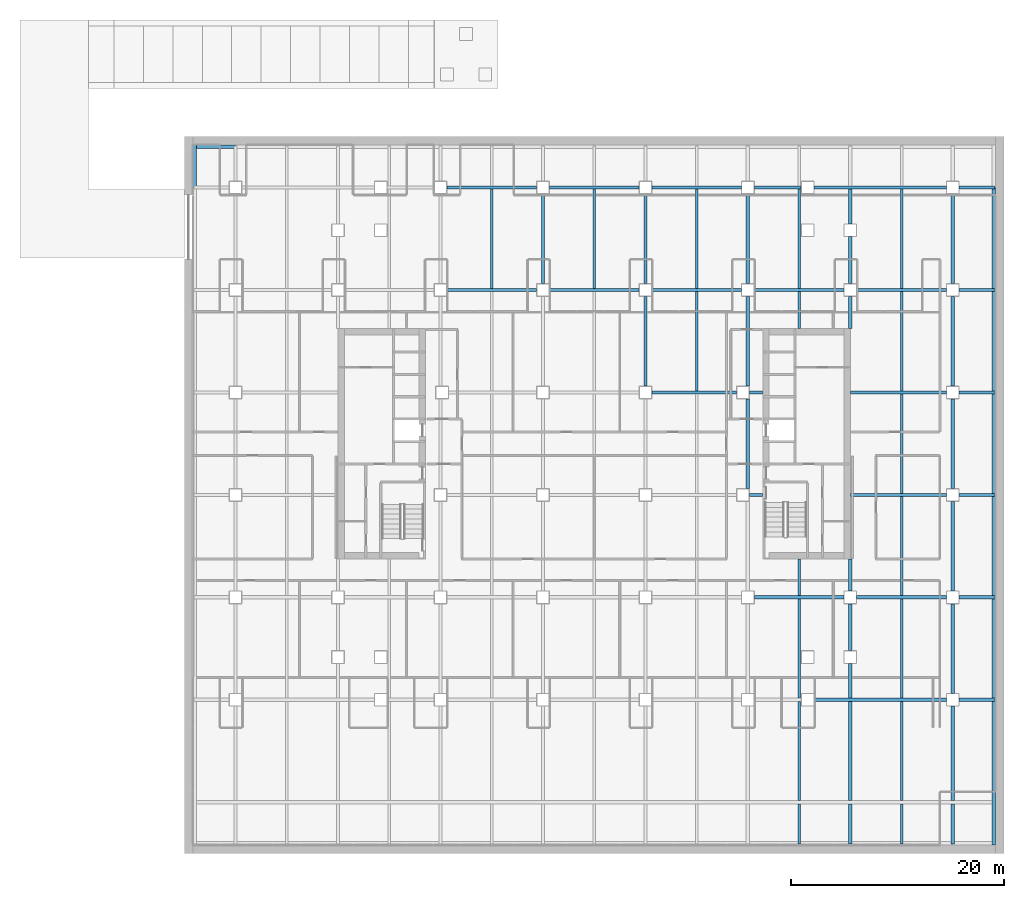
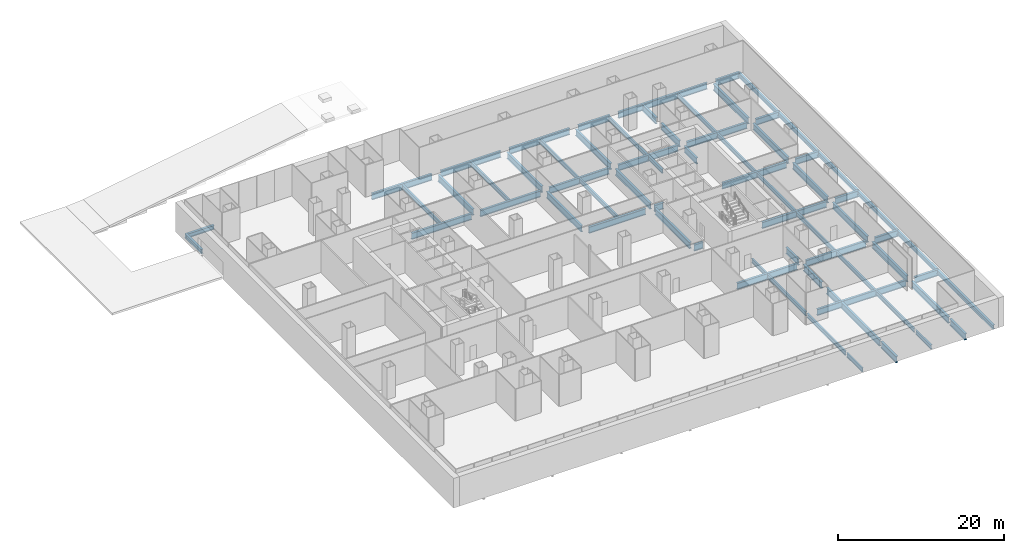
# One storey, part 3 of 11: 70 beams.
"""IFC4 building model written with IfcOpenShell, lengths in metres."""

from ifc_helpers import new_model, si_unit, direction, frame, origin, origin_2d, place, context, subcontext, project, spatial, i_section, extrude, material, material_profile, profile_set, type_object, element, save


model = new_model("IFC4")

# Units and contexts
model_context = context("Model", 3, precision=1e-05, world=origin(), true_north=direction((0.0, 1.0)))
body_context = subcontext(model_context, "Body", "Model", "MODEL_VIEW")
ifc_project = project(units=[si_unit("LENGTHUNIT", "METRE"), si_unit("AREAUNIT", "SQUARE_METRE"), si_unit("VOLUMEUNIT", "CUBIC_METRE"), si_unit("PLANEANGLEUNIT", "RADIAN"), si_unit("MASSUNIT", "GRAM", prefix="KILO")], contexts=[model_context])

# Site, building, storey
site_placement = place(None, origin())
site = spatial("IfcSite", under=ifc_project, at=site_placement, CompositionType="ELEMENT")
building_placement = place(site_placement, origin())
building = spatial("IfcBuilding", under=site, at=building_placement, Name="Cobrizo Arcos Hotel Tower", CompositionType="ELEMENT")
storey_placement = place(building_placement, frame((0.0, 0.0, -5.0)))
storey = spatial("IfcBuildingStorey", under=building, at=storey_placement, Name="B1", CompositionType="ELEMENT", Elevation=-5.0)

# Beams
ifc_material = material(Name="Steel ASTM A992 Grade 50", Category="steel")
ifc_material_profile_1 = material_profile(ifc_material, i_section(OverallWidth=0.32763671875, OverallDepth=0.622314453125, WebThickness=0.015380859375, FlangeThickness=0.0244140625, at=origin_2d()), Name="W24X131")
ifc_profile_set_1 = profile_set([ifc_material_profile_1], Name="Steel ASTM A992 Grade 50")
beam_type_1 = type_object("IfcBeamType", Name="W24X131 edge beam", PredefinedType="BEAM", material=ifc_profile_set_1)
for number, where, z_axis, x_axis, name in (
    (1, (-37.436279296875, 24.0, -0.611083984375), (0.0, 1.0, 0.0), (-1.0, 0.0, 0.0), "Edge beam EB1, B1, no. 008"),
    (2, (-37.60009765625, 27.836181640625, -0.611083984375), (1.0, 0.0, 0.0), (0.0, 1.0, 0.0), "Edge beam EB1, B1, no. 009"),
):
    element("IfcBeam", number, at=place(storey_placement, frame(where, z_axis=z_axis, x_axis=x_axis)), inside=storey, type_object=beam_type_1, Name=name, PredefinedType="BEAM", context=body_context, shape_type="SweptSolid", body=[
        extrude(i_section(OverallWidth=0.32763671875, OverallDepth=0.622314453125, WebThickness=0.015380859375, FlangeThickness=0.0244140625, at=origin_2d()), origin(), (0.0, 0.0, 1.0), 4.0),
    ])
beam_1_placement = place(storey_placement, frame((37.436279296875, 24.0, -0.611083984375), z_axis=(0.0, -1.0, 0.0), x_axis=(1.0, 0.0, 0.0)))
element("IfcBeam", 3, at=beam_1_placement, inside=storey, type_object=beam_type_1, Name="Edge beam EB1, B1, no. 017", PredefinedType="BEAM", context=body_context, shape_type="SweptSolid", body=[
    extrude(i_section(OverallWidth=0.32763671875, OverallDepth=0.622314453125, WebThickness=0.015380859375, FlangeThickness=0.0244140625, at=origin_2d()), origin(), (0.0, 0.0, 1.0), 9.60009765625),
])
beam_2_placement = place(storey_placement, frame((37.436279296875, 14.39990234375, -0.611083984375), z_axis=(0.0, -1.0, 0.0), x_axis=(1.0, 0.0, 0.0)))
element("IfcBeam", 4, at=beam_2_placement, inside=storey, type_object=beam_type_1, Name="Edge beam EB1, B1, no. 018", PredefinedType="BEAM", context=body_context, shape_type="SweptSolid", body=[
    extrude(i_section(OverallWidth=0.32763671875, OverallDepth=0.622314453125, WebThickness=0.015380859375, FlangeThickness=0.0244140625, at=origin_2d()), origin(), (0.0, 0.0, 1.0), 9.599853515625),
])
beam_3_placement = place(storey_placement, frame((37.436279296875, 4.800048828125, -0.611083984375), z_axis=(0.0, -1.0, 0.0), x_axis=(1.0, 0.0, 0.0)))
element("IfcBeam", 5, at=beam_3_placement, inside=storey, type_object=beam_type_1, Name="Edge beam EB1, B1, no. 019", PredefinedType="BEAM", context=body_context, shape_type="SweptSolid", body=[
    extrude(i_section(OverallWidth=0.32763671875, OverallDepth=0.622314453125, WebThickness=0.015380859375, FlangeThickness=0.0244140625, at=origin_2d()), origin(), (0.0, 0.0, 1.0), 9.60009765625),
])
beam_4_placement = place(storey_placement, frame((37.436279296875, -4.800048828125, -0.611083984375), z_axis=(0.0, -1.0, 0.0), x_axis=(1.0, 0.0, 0.0)))
element("IfcBeam", 6, at=beam_4_placement, inside=storey, type_object=beam_type_1, Name="Edge beam EB1, B1, no. 020", PredefinedType="BEAM", context=body_context, shape_type="SweptSolid", body=[
    extrude(i_section(OverallWidth=0.32763671875, OverallDepth=0.622314453125, WebThickness=0.015380859375, FlangeThickness=0.0244140625, at=origin_2d()), origin(), (0.0, 0.0, 1.0), 9.599853515625),
])
beam_5_placement = place(storey_placement, frame((37.436279296875, -14.39990234375, -0.611083984375), z_axis=(0.0, -1.0, 0.0), x_axis=(1.0, 0.0, 0.0)))
element("IfcBeam", 7, at=beam_5_placement, inside=storey, type_object=beam_type_1, Name="Edge beam EB1, B1, no. 021", PredefinedType="BEAM", context=body_context, shape_type="SweptSolid", body=[
    extrude(i_section(OverallWidth=0.32763671875, OverallDepth=0.622314453125, WebThickness=0.015380859375, FlangeThickness=0.0244140625, at=origin_2d()), origin(), (0.0, 0.0, 1.0), 9.60009765625),
])
beam_6_placement = place(storey_placement, frame((37.436279296875, -24.0, -0.611083984375), z_axis=(0.0, -1.0, 0.0), x_axis=(1.0, 0.0, 0.0)))
element("IfcBeam", 8, at=beam_6_placement, inside=storey, type_object=beam_type_1, Name="Edge beam EB1, B1, no. 022", PredefinedType="BEAM", context=body_context, shape_type="SweptSolid", body=[
    extrude(i_section(OverallWidth=0.32763671875, OverallDepth=0.622314453125, WebThickness=0.015380859375, FlangeThickness=0.0244140625, at=origin_2d()), origin(), (0.0, 0.0, 1.0), 13.60009765625),
])
ifc_material_profile_2 = material_profile(ifc_material, i_section(OverallWidth=0.23046875, OverallDepth=0.6171875, WebThickness=0.01318359375, FlangeThickness=0.022216796875, at=origin_2d()), Name="W24X94")
ifc_profile_set_2 = profile_set([ifc_material_profile_2], Name="Steel ASTM A992 Grade 50")
beam_type_2 = type_object("IfcBeamType", Name="W24X94 podium joist", PredefinedType="JOIST", material=ifc_profile_set_2)
for number, where, z_axis, x_axis, name in (
    (9, (-9.60009765625, 14.5537109375, -0.608642578125), (0.0, 1.0, 0.0), (-1.0, 0.0, 0.0), "Podium joist PJ1, B1, no. 022"),
    (10, (0.0, 14.5537109375, -0.608642578125), (0.0, 1.0, 0.0), (-1.0, 0.0, 0.0), "Podium joist PJ1, B1, no. 030"),
    (11, (9.60009765625, 4.95361328125, -0.608642578125), (0.0, 1.0, 0.0), (-1.0, 0.0, 0.0), "Podium joist PJ1, B1, no. 037"),
    (12, (9.60009765625, 14.5537109375, -0.608642578125), (0.0, 1.0, 0.0), (-1.0, 0.0, 0.0), "Podium joist PJ1, B1, no. 038"),
):
    element("IfcBeam", number, at=place(storey_placement, frame(where, z_axis=z_axis, x_axis=x_axis)), inside=storey, type_object=beam_type_2, Name=name, PredefinedType="JOIST", context=body_context, shape_type="SweptSolid", body=[
        extrude(i_section(OverallWidth=0.23046875, OverallDepth=0.6171875, WebThickness=0.01318359375, FlangeThickness=0.022216796875, at=origin_2d()), origin(), (0.0, 0.0, 1.0), 9.292724609375),
    ])
beam_7_placement = place(storey_placement, frame((19.199951171875, -37.510009765625, -0.608642578125), z_axis=(0.0, 1.0, 0.0), x_axis=(-1.0, 0.0, 0.0)))
element("IfcBeam", 13, at=beam_7_placement, inside=storey, type_object=beam_type_2, Name="Podium joist PJ1, B1, no. 040", PredefinedType="JOIST", context=body_context, shape_type="SweptSolid", body=[
    extrude(i_section(OverallWidth=0.23046875, OverallDepth=0.6171875, WebThickness=0.01318359375, FlangeThickness=0.022216796875, at=origin_2d()), origin(), (0.0, 0.0, 1.0), 3.75634765625),
])
for number, where, z_axis, x_axis, name in (
    (14, (19.199951171875, -33.4462890625, -0.608642578125), (0.0, 1.0, 0.0), (-1.0, 0.0, 0.0), "Podium joist PJ1, B1, no. 041"),
    (15, (19.199951171875, -23.846435546875, -0.608642578125), (0.0, 1.0, 0.0), (-1.0, 0.0, 0.0), "Podium joist PJ1, B1, no. 042"),
):
    element("IfcBeam", number, at=place(storey_placement, frame(where, z_axis=z_axis, x_axis=x_axis)), inside=storey, type_object=beam_type_2, Name=name, PredefinedType="JOIST", context=body_context, shape_type="SweptSolid", body=[
        extrude(i_section(OverallWidth=0.23046875, OverallDepth=0.6171875, WebThickness=0.01318359375, FlangeThickness=0.022216796875, at=origin_2d()), origin(), (0.0, 0.0, 1.0), 9.292724609375),
    ])
for number, where, z_axis, x_axis, name in (
    (16, (19.199951171875, -14.246337890625, -0.608642578125), (0.0, 1.0, 0.0), (-1.0, 0.0, 0.0), "Podium joist PJ1, B1, no. 043"),
    (17, (19.199951171875, 10.81005859375, -0.608642578125), (0.0, 1.0, 0.0), (-1.0, 0.0, 0.0), "Podium joist PJ1, B1, no. 044"),
):
    element("IfcBeam", number, at=place(storey_placement, frame(where, z_axis=z_axis, x_axis=x_axis)), inside=storey, type_object=beam_type_2, Name=name, PredefinedType="JOIST", context=body_context, shape_type="SweptSolid", body=[
        extrude(i_section(OverallWidth=0.23046875, OverallDepth=0.6171875, WebThickness=0.01318359375, FlangeThickness=0.022216796875, at=origin_2d()), origin(), (0.0, 0.0, 1.0), 3.436279296875),
    ])
beam_8_placement = place(storey_placement, frame((19.199951171875, 14.5537109375, -0.608642578125), z_axis=(0.0, 1.0, 0.0), x_axis=(-1.0, 0.0, 0.0)))
element("IfcBeam", 18, at=beam_8_placement, inside=storey, type_object=beam_type_2, Name="Podium joist PJ1, B1, no. 045", PredefinedType="JOIST", context=body_context, shape_type="SweptSolid", body=[
    extrude(i_section(OverallWidth=0.23046875, OverallDepth=0.6171875, WebThickness=0.01318359375, FlangeThickness=0.022216796875, at=origin_2d()), origin(), (0.0, 0.0, 1.0), 9.292724609375),
])
beam_9_placement = place(storey_placement, frame((28.800048828125, -37.510009765625, -0.608642578125), z_axis=(0.0, 1.0, 0.0), x_axis=(-1.0, 0.0, 0.0)))
element("IfcBeam", 19, at=beam_9_placement, inside=storey, type_object=beam_type_2, Name="Podium joist PJ1, B1, no. 047", PredefinedType="JOIST", context=body_context, shape_type="SweptSolid", body=[
    extrude(i_section(OverallWidth=0.23046875, OverallDepth=0.6171875, WebThickness=0.01318359375, FlangeThickness=0.022216796875, at=origin_2d()), origin(), (0.0, 0.0, 1.0), 3.75634765625),
])
for number, where, z_axis, x_axis, name in (
    (20, (28.800048828125, -33.4462890625, -0.608642578125), (0.0, 1.0, 0.0), (-1.0, 0.0, 0.0), "Podium joist PJ1, B1, no. 048"),
    (21, (28.800048828125, -23.846435546875, -0.608642578125), (0.0, 1.0, 0.0), (-1.0, 0.0, 0.0), "Podium joist PJ1, B1, no. 049"),
    (22, (28.800048828125, -14.246337890625, -0.608642578125), (0.0, 1.0, 0.0), (-1.0, 0.0, 0.0), "Podium joist PJ1, B1, no. 050"),
):
    element("IfcBeam", number, at=place(storey_placement, frame(where, z_axis=z_axis, x_axis=x_axis)), inside=storey, type_object=beam_type_2, Name=name, PredefinedType="JOIST", context=body_context, shape_type="SweptSolid", body=[
        extrude(i_section(OverallWidth=0.23046875, OverallDepth=0.6171875, WebThickness=0.01318359375, FlangeThickness=0.022216796875, at=origin_2d()), origin(), (0.0, 0.0, 1.0), 9.292724609375),
    ])
beam_10_placement = place(storey_placement, frame((28.800048828125, -4.646240234375, -0.608642578125), z_axis=(0.0, 1.0, 0.0), x_axis=(-1.0, 0.0, 0.0)))
element("IfcBeam", 23, at=beam_10_placement, inside=storey, type_object=beam_type_2, Name="Podium joist PJ1, B1, no. 051", PredefinedType="JOIST", context=body_context, shape_type="SweptSolid", body=[
    extrude(i_section(OverallWidth=0.23046875, OverallDepth=0.6171875, WebThickness=0.01318359375, FlangeThickness=0.022216796875, at=origin_2d()), origin(), (0.0, 0.0, 1.0), 9.29248046875),
])
for number, where, z_axis, x_axis, name in (
    (24, (28.800048828125, 4.95361328125, -0.608642578125), (0.0, 1.0, 0.0), (-1.0, 0.0, 0.0), "Podium joist PJ1, B1, no. 052"),
    (25, (28.800048828125, 14.5537109375, -0.608642578125), (0.0, 1.0, 0.0), (-1.0, 0.0, 0.0), "Podium joist PJ1, B1, no. 053"),
):
    element("IfcBeam", number, at=place(storey_placement, frame(where, z_axis=z_axis, x_axis=x_axis)), inside=storey, type_object=beam_type_2, Name=name, PredefinedType="JOIST", context=body_context, shape_type="SweptSolid", body=[
        extrude(i_section(OverallWidth=0.23046875, OverallDepth=0.6171875, WebThickness=0.01318359375, FlangeThickness=0.022216796875, at=origin_2d()), origin(), (0.0, 0.0, 1.0), 9.292724609375),
    ])
ifc_material_profile_3 = material_profile(ifc_material, i_section(OverallWidth=0.307373046875, OverallDepth=0.927001953125, WebThickness=0.01953125, FlangeThickness=0.031982421875, at=origin_2d()), Name="W36X194")
ifc_profile_set_3 = profile_set([ifc_material_profile_3], Name="Steel ASTM A992 Grade 50")
beam_type_3 = type_object("IfcBeamType", Name="W36X194 podium girder", PredefinedType="BEAM", material=ifc_profile_set_3)
beam_11_placement = place(storey_placement, frame((20.60009765625, -24.0, -0.763427734375), z_axis=(1.0, 0.0, 0.0), x_axis=(0.0, 1.0, 0.0)))
element("IfcBeam", 26, at=beam_11_placement, inside=storey, type_object=beam_type_3, Name="Podium girder PG1, B1, no. 009", PredefinedType="BEAM", context=body_context, shape_type="SweptSolid", body=[
    extrude(i_section(OverallWidth=0.307373046875, OverallDepth=0.927001953125, WebThickness=0.01953125, FlangeThickness=0.031982421875, at=origin_2d()), origin(), (0.0, 0.0, 1.0), 12.39990234375),
])
beam_12_placement = place(storey_placement, frame((34.199951171875, -24.0, -0.763427734375), z_axis=(1.0, 0.0, 0.0), x_axis=(0.0, 1.0, 0.0)))
element("IfcBeam", 27, at=beam_12_placement, inside=storey, type_object=beam_type_3, Name="Podium girder PG1, B1, no. 010", PredefinedType="BEAM", context=body_context, shape_type="SweptSolid", body=[
    extrude(i_section(OverallWidth=0.307373046875, OverallDepth=0.927001953125, WebThickness=0.01953125, FlangeThickness=0.031982421875, at=origin_2d()), origin(), (0.0, 0.0, 1.0), 3.31005859375),
])
for number, where, z_axis, x_axis, name in (
    (28, (15.0, -14.39990234375, -0.763427734375), (1.0, 0.0, 0.0), (0.0, 1.0, 0.0), "Podium girder PG1, B1, no. 017"),
    (29, (24.60009765625, -14.39990234375, -0.763427734375), (1.0, 0.0, 0.0), (0.0, 1.0, 0.0), "Podium girder PG1, B1, no. 018"),
):
    element("IfcBeam", number, at=place(storey_placement, frame(where, z_axis=z_axis, x_axis=x_axis)), inside=storey, type_object=beam_type_3, Name=name, PredefinedType="BEAM", context=body_context, shape_type="SweptSolid", body=[
        extrude(i_section(OverallWidth=0.307373046875, OverallDepth=0.927001953125, WebThickness=0.01953125, FlangeThickness=0.031982421875, at=origin_2d()), origin(), (0.0, 0.0, 1.0), 8.39990234375),
    ])
beam_13_placement = place(storey_placement, frame((34.199951171875, -14.39990234375, -0.763427734375), z_axis=(1.0, 0.0, 0.0), x_axis=(0.0, 1.0, 0.0)))
element("IfcBeam", 30, at=beam_13_placement, inside=storey, type_object=beam_type_3, Name="Podium girder PG1, B1, no. 019", PredefinedType="BEAM", context=body_context, shape_type="SweptSolid", body=[
    extrude(i_section(OverallWidth=0.307373046875, OverallDepth=0.927001953125, WebThickness=0.01953125, FlangeThickness=0.031982421875, at=origin_2d()), origin(), (0.0, 0.0, 1.0), 3.31005859375),
])
beam_14_placement = place(storey_placement, frame((14.5400390625, -4.800048828125, -0.763427734375), z_axis=(1.0, 0.0, 0.0), x_axis=(0.0, 1.0, 0.0)))
element("IfcBeam", 31, at=beam_14_placement, inside=storey, type_object=beam_type_3, Name="Podium girder PG1, B1, no. 025", PredefinedType="BEAM", context=body_context, shape_type="SweptSolid", body=[
    extrude(i_section(OverallWidth=0.307373046875, OverallDepth=0.927001953125, WebThickness=0.01953125, FlangeThickness=0.031982421875, at=origin_2d()), origin(), (0.0, 0.0, 1.0), 1.25),
])
beam_15_placement = place(storey_placement, frame((24.010009765625, -4.800048828125, -0.763427734375), z_axis=(1.0, 0.0, 0.0), x_axis=(0.0, 1.0, 0.0)))
element("IfcBeam", 32, at=beam_15_placement, inside=storey, type_object=beam_type_3, Name="Podium girder PG1, B1, no. 026", PredefinedType="BEAM", context=body_context, shape_type="SweptSolid", body=[
    extrude(i_section(OverallWidth=0.307373046875, OverallDepth=0.927001953125, WebThickness=0.01953125, FlangeThickness=0.031982421875, at=origin_2d()), origin(), (0.0, 0.0, 1.0), 8.989990234375),
])
beam_16_placement = place(storey_placement, frame((34.199951171875, -4.800048828125, -0.763427734375), z_axis=(1.0, 0.0, 0.0), x_axis=(0.0, 1.0, 0.0)))
element("IfcBeam", 33, at=beam_16_placement, inside=storey, type_object=beam_type_3, Name="Podium girder PG1, B1, no. 027", PredefinedType="BEAM", context=body_context, shape_type="SweptSolid", body=[
    extrude(i_section(OverallWidth=0.307373046875, OverallDepth=0.927001953125, WebThickness=0.01953125, FlangeThickness=0.031982421875, at=origin_2d()), origin(), (0.0, 0.0, 1.0), 3.31005859375),
])
beam_17_placement = place(storey_placement, frame((5.39990234375, 4.800048828125, -0.763427734375), z_axis=(1.0, 0.0, 0.0), x_axis=(0.0, 1.0, 0.0)))
element("IfcBeam", 34, at=beam_17_placement, inside=storey, type_object=beam_type_3, Name="Podium girder PG1, B1, no. 032", PredefinedType="BEAM", context=body_context, shape_type="SweptSolid", body=[
    extrude(i_section(OverallWidth=0.307373046875, OverallDepth=0.927001953125, WebThickness=0.01953125, FlangeThickness=0.031982421875, at=origin_2d()), origin(), (0.0, 0.0, 1.0), 7.940185546875),
])
beam_18_placement = place(storey_placement, frame((14.5400390625, 4.800048828125, -0.763427734375), z_axis=(1.0, 0.0, 0.0), x_axis=(0.0, 1.0, 0.0)))
element("IfcBeam", 35, at=beam_18_placement, inside=storey, type_object=beam_type_3, Name="Podium girder PG1, B1, no. 033", PredefinedType="BEAM", context=body_context, shape_type="SweptSolid", body=[
    extrude(i_section(OverallWidth=0.307373046875, OverallDepth=0.927001953125, WebThickness=0.01953125, FlangeThickness=0.031982421875, at=origin_2d()), origin(), (0.0, 0.0, 1.0), 1.25),
])
beam_19_placement = place(storey_placement, frame((24.010009765625, 4.800048828125, -0.763427734375), z_axis=(1.0, 0.0, 0.0), x_axis=(0.0, 1.0, 0.0)))
element("IfcBeam", 36, at=beam_19_placement, inside=storey, type_object=beam_type_3, Name="Podium girder PG1, B1, no. 034", PredefinedType="BEAM", context=body_context, shape_type="SweptSolid", body=[
    extrude(i_section(OverallWidth=0.307373046875, OverallDepth=0.927001953125, WebThickness=0.01953125, FlangeThickness=0.031982421875, at=origin_2d()), origin(), (0.0, 0.0, 1.0), 8.989990234375),
])
beam_20_placement = place(storey_placement, frame((34.199951171875, 4.800048828125, -0.763427734375), z_axis=(1.0, 0.0, 0.0), x_axis=(0.0, 1.0, 0.0)))
element("IfcBeam", 37, at=beam_20_placement, inside=storey, type_object=beam_type_3, Name="Podium girder PG1, B1, no. 035", PredefinedType="BEAM", context=body_context, shape_type="SweptSolid", body=[
    extrude(i_section(OverallWidth=0.307373046875, OverallDepth=0.927001953125, WebThickness=0.01953125, FlangeThickness=0.031982421875, at=origin_2d()), origin(), (0.0, 0.0, 1.0), 3.31005859375),
])
beam_21_placement = place(storey_placement, frame((-13.800048828125, 14.39990234375, -0.763427734375), z_axis=(1.0, 0.0, 0.0), x_axis=(0.0, 1.0, 0.0)))
element("IfcBeam", 38, at=beam_21_placement, inside=storey, type_object=beam_type_3, Name="Podium girder PG1, B1, no. 039", PredefinedType="BEAM", context=body_context, shape_type="SweptSolid", body=[
    extrude(i_section(OverallWidth=0.307373046875, OverallDepth=0.927001953125, WebThickness=0.01953125, FlangeThickness=0.031982421875, at=origin_2d()), origin(), (0.0, 0.0, 1.0), 8.400146484375),
])
beam_22_placement = place(storey_placement, frame((-4.199951171875, 14.39990234375, -0.763427734375), z_axis=(1.0, 0.0, 0.0), x_axis=(0.0, 1.0, 0.0)))
element("IfcBeam", 39, at=beam_22_placement, inside=storey, type_object=beam_type_3, Name="Podium girder PG1, B1, no. 040", PredefinedType="BEAM", context=body_context, shape_type="SweptSolid", body=[
    extrude(i_section(OverallWidth=0.307373046875, OverallDepth=0.927001953125, WebThickness=0.01953125, FlangeThickness=0.031982421875, at=origin_2d()), origin(), (0.0, 0.0, 1.0), 8.39990234375),
])
beam_23_placement = place(storey_placement, frame((5.39990234375, 14.39990234375, -0.763427734375), z_axis=(1.0, 0.0, 0.0), x_axis=(0.0, 1.0, 0.0)))
element("IfcBeam", 40, at=beam_23_placement, inside=storey, type_object=beam_type_3, Name="Podium girder PG1, B1, no. 041", PredefinedType="BEAM", context=body_context, shape_type="SweptSolid", body=[
    extrude(i_section(OverallWidth=0.307373046875, OverallDepth=0.927001953125, WebThickness=0.01953125, FlangeThickness=0.031982421875, at=origin_2d()), origin(), (0.0, 0.0, 1.0), 8.400146484375),
])
for number, where, z_axis, x_axis, name in (
    (41, (15.0, 14.39990234375, -0.763427734375), (1.0, 0.0, 0.0), (0.0, 1.0, 0.0), "Podium girder PG1, B1, no. 042"),
    (42, (24.60009765625, 14.39990234375, -0.763427734375), (1.0, 0.0, 0.0), (0.0, 1.0, 0.0), "Podium girder PG1, B1, no. 043"),
):
    element("IfcBeam", number, at=place(storey_placement, frame(where, z_axis=z_axis, x_axis=x_axis)), inside=storey, type_object=beam_type_3, Name=name, PredefinedType="BEAM", context=body_context, shape_type="SweptSolid", body=[
        extrude(i_section(OverallWidth=0.307373046875, OverallDepth=0.927001953125, WebThickness=0.01953125, FlangeThickness=0.031982421875, at=origin_2d()), origin(), (0.0, 0.0, 1.0), 8.39990234375),
    ])
beam_24_placement = place(storey_placement, frame((34.199951171875, 14.39990234375, -0.763427734375), z_axis=(1.0, 0.0, 0.0), x_axis=(0.0, 1.0, 0.0)))
element("IfcBeam", 43, at=beam_24_placement, inside=storey, type_object=beam_type_3, Name="Podium girder PG1, B1, no. 044", PredefinedType="BEAM", context=body_context, shape_type="SweptSolid", body=[
    extrude(i_section(OverallWidth=0.307373046875, OverallDepth=0.927001953125, WebThickness=0.01953125, FlangeThickness=0.031982421875, at=origin_2d()), origin(), (0.0, 0.0, 1.0), 3.31005859375),
])
beam_25_placement = place(storey_placement, frame((-13.800048828125, 24.0, -0.763427734375), z_axis=(1.0, 0.0, 0.0), x_axis=(0.0, 1.0, 0.0)))
element("IfcBeam", 44, at=beam_25_placement, inside=storey, type_object=beam_type_3, Name="Podium girder PG1, B1, no. 048", PredefinedType="BEAM", context=body_context, shape_type="SweptSolid", body=[
    extrude(i_section(OverallWidth=0.307373046875, OverallDepth=0.927001953125, WebThickness=0.01953125, FlangeThickness=0.031982421875, at=origin_2d()), origin(), (0.0, 0.0, 1.0), 8.400146484375),
])
beam_26_placement = place(storey_placement, frame((-4.199951171875, 24.0, -0.763427734375), z_axis=(1.0, 0.0, 0.0), x_axis=(0.0, 1.0, 0.0)))
element("IfcBeam", 45, at=beam_26_placement, inside=storey, type_object=beam_type_3, Name="Podium girder PG1, B1, no. 049", PredefinedType="BEAM", context=body_context, shape_type="SweptSolid", body=[
    extrude(i_section(OverallWidth=0.307373046875, OverallDepth=0.927001953125, WebThickness=0.01953125, FlangeThickness=0.031982421875, at=origin_2d()), origin(), (0.0, 0.0, 1.0), 8.39990234375),
])
beam_27_placement = place(storey_placement, frame((5.39990234375, 24.0, -0.763427734375), z_axis=(1.0, 0.0, 0.0), x_axis=(0.0, 1.0, 0.0)))
element("IfcBeam", 46, at=beam_27_placement, inside=storey, type_object=beam_type_3, Name="Podium girder PG1, B1, no. 050", PredefinedType="BEAM", context=body_context, shape_type="SweptSolid", body=[
    extrude(i_section(OverallWidth=0.307373046875, OverallDepth=0.927001953125, WebThickness=0.01953125, FlangeThickness=0.031982421875, at=origin_2d()), origin(), (0.0, 0.0, 1.0), 8.400146484375),
])
beam_28_placement = place(storey_placement, frame((15.0, 24.0, -0.763427734375), z_axis=(1.0, 0.0, 0.0), x_axis=(0.0, 1.0, 0.0)))
element("IfcBeam", 47, at=beam_28_placement, inside=storey, type_object=beam_type_3, Name="Podium girder PG1, B1, no. 051", PredefinedType="BEAM", context=body_context, shape_type="SweptSolid", body=[
    extrude(i_section(OverallWidth=0.307373046875, OverallDepth=0.927001953125, WebThickness=0.01953125, FlangeThickness=0.031982421875, at=origin_2d()), origin(), (0.0, 0.0, 1.0), 4.39990234375),
])
beam_29_placement = place(storey_placement, frame((20.60009765625, 24.0, -0.763427734375), z_axis=(1.0, 0.0, 0.0), x_axis=(0.0, 1.0, 0.0)))
element("IfcBeam", 48, at=beam_29_placement, inside=storey, type_object=beam_type_3, Name="Podium girder PG1, B1, no. 052", PredefinedType="BEAM", context=body_context, shape_type="SweptSolid", body=[
    extrude(i_section(OverallWidth=0.307373046875, OverallDepth=0.927001953125, WebThickness=0.01953125, FlangeThickness=0.031982421875, at=origin_2d()), origin(), (0.0, 0.0, 1.0), 12.39990234375),
])
beam_30_placement = place(storey_placement, frame((34.199951171875, 24.0, -0.763427734375), z_axis=(1.0, 0.0, 0.0), x_axis=(0.0, 1.0, 0.0)))
element("IfcBeam", 49, at=beam_30_placement, inside=storey, type_object=beam_type_3, Name="Podium girder PG1, B1, no. 053", PredefinedType="BEAM", context=body_context, shape_type="SweptSolid", body=[
    extrude(i_section(OverallWidth=0.307373046875, OverallDepth=0.927001953125, WebThickness=0.01953125, FlangeThickness=0.031982421875, at=origin_2d()), origin(), (0.0, 0.0, 1.0), 3.31005859375),
])
beam_31_placement = place(storey_placement, frame((-4.800048828125, 15.0, -0.763427734375), z_axis=(0.0, 1.0, 0.0), x_axis=(-1.0, 0.0, 0.0)))
element("IfcBeam", 50, at=beam_31_placement, inside=storey, type_object=beam_type_3, Name="Podium girder PG1, B1, no. 085", PredefinedType="BEAM", context=body_context, shape_type="SweptSolid", body=[
    extrude(i_section(OverallWidth=0.307373046875, OverallDepth=0.927001953125, WebThickness=0.01953125, FlangeThickness=0.031982421875, at=origin_2d()), origin(), (0.0, 0.0, 1.0), 8.39990234375),
])
beam_32_placement = place(storey_placement, frame((4.800048828125, 5.39990234375, -0.763427734375), z_axis=(0.0, 1.0, 0.0), x_axis=(-1.0, 0.0, 0.0)))
element("IfcBeam", 51, at=beam_32_placement, inside=storey, type_object=beam_type_3, Name="Podium girder PG1, B1, no. 092", PredefinedType="BEAM", context=body_context, shape_type="SweptSolid", body=[
    extrude(i_section(OverallWidth=0.307373046875, OverallDepth=0.927001953125, WebThickness=0.01953125, FlangeThickness=0.031982421875, at=origin_2d()), origin(), (0.0, 0.0, 1.0), 8.400146484375),
])
for number, where, z_axis, x_axis, name in (
    (52, (4.800048828125, 15.0, -0.763427734375), (0.0, 1.0, 0.0), (-1.0, 0.0, 0.0), "Podium girder PG1, B1, no. 093"),
    (53, (14.39990234375, -4.199951171875, -0.763427734375), (0.0, 1.0, 0.0), (-1.0, 0.0, 0.0), "Podium girder PG1, B1, no. 099"),
):
    element("IfcBeam", number, at=place(storey_placement, frame(where, z_axis=z_axis, x_axis=x_axis)), inside=storey, type_object=beam_type_3, Name=name, PredefinedType="BEAM", context=body_context, shape_type="SweptSolid", body=[
        extrude(i_section(OverallWidth=0.307373046875, OverallDepth=0.927001953125, WebThickness=0.01953125, FlangeThickness=0.031982421875, at=origin_2d()), origin(), (0.0, 0.0, 1.0), 8.39990234375),
    ])
beam_33_placement = place(storey_placement, frame((14.39990234375, 5.39990234375, -0.763427734375), z_axis=(0.0, 1.0, 0.0), x_axis=(-1.0, 0.0, 0.0)))
element("IfcBeam", 54, at=beam_33_placement, inside=storey, type_object=beam_type_3, Name="Podium girder PG1, B1, no. 100", PredefinedType="BEAM", context=body_context, shape_type="SweptSolid", body=[
    extrude(i_section(OverallWidth=0.307373046875, OverallDepth=0.927001953125, WebThickness=0.01953125, FlangeThickness=0.031982421875, at=origin_2d()), origin(), (0.0, 0.0, 1.0), 8.400146484375),
])
beam_34_placement = place(storey_placement, frame((14.39990234375, 15.0, -0.763427734375), z_axis=(0.0, 1.0, 0.0), x_axis=(-1.0, 0.0, 0.0)))
element("IfcBeam", 55, at=beam_34_placement, inside=storey, type_object=beam_type_3, Name="Podium girder PG1, B1, no. 101", PredefinedType="BEAM", context=body_context, shape_type="SweptSolid", body=[
    extrude(i_section(OverallWidth=0.307373046875, OverallDepth=0.927001953125, WebThickness=0.01953125, FlangeThickness=0.031982421875, at=origin_2d()), origin(), (0.0, 0.0, 1.0), 8.39990234375),
])
beam_35_placement = place(storey_placement, frame((24.0, -37.510009765625, -0.763427734375), z_axis=(0.0, 1.0, 0.0), x_axis=(-1.0, 0.0, 0.0)))
element("IfcBeam", 56, at=beam_35_placement, inside=storey, type_object=beam_type_3, Name="Podium girder PG1, B1, no. 103", PredefinedType="BEAM", context=body_context, shape_type="SweptSolid", body=[
    extrude(i_section(OverallWidth=0.307373046875, OverallDepth=0.927001953125, WebThickness=0.01953125, FlangeThickness=0.031982421875, at=origin_2d()), origin(), (0.0, 0.0, 1.0), 3.75634765625),
])
beam_36_placement = place(storey_placement, frame((24.0, -33.4462890625, -0.763427734375), z_axis=(0.0, 1.0, 0.0), x_axis=(-1.0, 0.0, 0.0)))
element("IfcBeam", 57, at=beam_36_placement, inside=storey, type_object=beam_type_3, Name="Podium girder PG1, B1, no. 104", PredefinedType="BEAM", context=body_context, shape_type="SweptSolid", body=[
    extrude(i_section(OverallWidth=0.307373046875, OverallDepth=0.927001953125, WebThickness=0.01953125, FlangeThickness=0.031982421875, at=origin_2d()), origin(), (0.0, 0.0, 1.0), 9.292724609375),
])
beam_37_placement = place(storey_placement, frame((24.0, -23.846435546875, -0.763427734375), z_axis=(0.0, 1.0, 0.0), x_axis=(-1.0, 0.0, 0.0)))
element("IfcBeam", 58, at=beam_37_placement, inside=storey, type_object=beam_type_3, Name="Podium girder PG1, B1, no. 105", PredefinedType="BEAM", context=body_context, shape_type="SweptSolid", body=[
    extrude(i_section(OverallWidth=0.307373046875, OverallDepth=0.927001953125, WebThickness=0.01953125, FlangeThickness=0.031982421875, at=origin_2d()), origin(), (0.0, 0.0, 1.0), 3.246337890625),
])
beam_38_placement = place(storey_placement, frame((24.0, -19.39990234375, -0.763427734375), z_axis=(0.0, 1.0, 0.0), x_axis=(-1.0, 0.0, 0.0)))
element("IfcBeam", 59, at=beam_38_placement, inside=storey, type_object=beam_type_3, Name="Podium girder PG1, B1, no. 106", PredefinedType="BEAM", context=body_context, shape_type="SweptSolid", body=[
    extrude(i_section(OverallWidth=0.307373046875, OverallDepth=0.927001953125, WebThickness=0.01953125, FlangeThickness=0.031982421875, at=origin_2d()), origin(), (0.0, 0.0, 1.0), 4.39990234375),
])
for number, where, z_axis, x_axis, name in (
    (60, (24.0, -13.800048828125, -0.763427734375), (0.0, 1.0, 0.0), (-1.0, 0.0, 0.0), "Podium girder PG1, B1, no. 107"),
    (61, (24.0, 10.81005859375, -0.763427734375), (0.0, 1.0, 0.0), (-1.0, 0.0, 0.0), "Podium girder PG1, B1, no. 108"),
):
    element("IfcBeam", number, at=place(storey_placement, frame(where, z_axis=z_axis, x_axis=x_axis)), inside=storey, type_object=beam_type_3, Name=name, PredefinedType="BEAM", context=body_context, shape_type="SweptSolid", body=[
        extrude(i_section(OverallWidth=0.307373046875, OverallDepth=0.927001953125, WebThickness=0.01953125, FlangeThickness=0.031982421875, at=origin_2d()), origin(), (0.0, 0.0, 1.0), 2.989990234375),
    ])
beam_39_placement = place(storey_placement, frame((24.0, 15.0, -0.763427734375), z_axis=(0.0, 1.0, 0.0), x_axis=(-1.0, 0.0, 0.0)))
element("IfcBeam", 62, at=beam_39_placement, inside=storey, type_object=beam_type_3, Name="Podium girder PG1, B1, no. 109", PredefinedType="BEAM", context=body_context, shape_type="SweptSolid", body=[
    extrude(i_section(OverallWidth=0.307373046875, OverallDepth=0.927001953125, WebThickness=0.01953125, FlangeThickness=0.031982421875, at=origin_2d()), origin(), (0.0, 0.0, 1.0), 4.39990234375),
])
beam_40_placement = place(storey_placement, frame((24.0, 20.60009765625, -0.763427734375), z_axis=(0.0, 1.0, 0.0), x_axis=(-1.0, 0.0, 0.0)))
element("IfcBeam", 63, at=beam_40_placement, inside=storey, type_object=beam_type_3, Name="Podium girder PG1, B1, no. 110", PredefinedType="BEAM", context=body_context, shape_type="SweptSolid", body=[
    extrude(i_section(OverallWidth=0.307373046875, OverallDepth=0.927001953125, WebThickness=0.01953125, FlangeThickness=0.031982421875, at=origin_2d()), origin(), (0.0, 0.0, 1.0), 3.246337890625),
])
beam_41_placement = place(storey_placement, frame((33.60009765625, -37.510009765625, -0.763427734375), z_axis=(0.0, 1.0, 0.0), x_axis=(-1.0, 0.0, 0.0)))
element("IfcBeam", 64, at=beam_41_placement, inside=storey, type_object=beam_type_3, Name="Podium girder PG1, B1, no. 112", PredefinedType="BEAM", context=body_context, shape_type="SweptSolid", body=[
    extrude(i_section(OverallWidth=0.307373046875, OverallDepth=0.927001953125, WebThickness=0.01953125, FlangeThickness=0.031982421875, at=origin_2d()), origin(), (0.0, 0.0, 1.0), 3.75634765625),
])
beam_42_placement = place(storey_placement, frame((33.60009765625, -33.4462890625, -0.763427734375), z_axis=(0.0, 1.0, 0.0), x_axis=(-1.0, 0.0, 0.0)))
element("IfcBeam", 65, at=beam_42_placement, inside=storey, type_object=beam_type_3, Name="Podium girder PG1, B1, no. 113", PredefinedType="BEAM", context=body_context, shape_type="SweptSolid", body=[
    extrude(i_section(OverallWidth=0.307373046875, OverallDepth=0.927001953125, WebThickness=0.01953125, FlangeThickness=0.031982421875, at=origin_2d()), origin(), (0.0, 0.0, 1.0), 8.84619140625),
])
beam_43_placement = place(storey_placement, frame((33.60009765625, -23.39990234375, -0.763427734375), z_axis=(0.0, 1.0, 0.0), x_axis=(-1.0, 0.0, 0.0)))
element("IfcBeam", 66, at=beam_43_placement, inside=storey, type_object=beam_type_3, Name="Podium girder PG1, B1, no. 114", PredefinedType="BEAM", context=body_context, shape_type="SweptSolid", body=[
    extrude(i_section(OverallWidth=0.307373046875, OverallDepth=0.927001953125, WebThickness=0.01953125, FlangeThickness=0.031982421875, at=origin_2d()), origin(), (0.0, 0.0, 1.0), 8.39990234375),
])
beam_44_placement = place(storey_placement, frame((33.60009765625, -13.800048828125, -0.763427734375), z_axis=(0.0, 1.0, 0.0), x_axis=(-1.0, 0.0, 0.0)))
element("IfcBeam", 67, at=beam_44_placement, inside=storey, type_object=beam_type_3, Name="Podium girder PG1, B1, no. 115", PredefinedType="BEAM", context=body_context, shape_type="SweptSolid", body=[
    extrude(i_section(OverallWidth=0.307373046875, OverallDepth=0.927001953125, WebThickness=0.01953125, FlangeThickness=0.031982421875, at=origin_2d()), origin(), (0.0, 0.0, 1.0), 8.400146484375),
])
beam_45_placement = place(storey_placement, frame((33.60009765625, -4.199951171875, -0.763427734375), z_axis=(0.0, 1.0, 0.0), x_axis=(-1.0, 0.0, 0.0)))
element("IfcBeam", 68, at=beam_45_placement, inside=storey, type_object=beam_type_3, Name="Podium girder PG1, B1, no. 116", PredefinedType="BEAM", context=body_context, shape_type="SweptSolid", body=[
    extrude(i_section(OverallWidth=0.307373046875, OverallDepth=0.927001953125, WebThickness=0.01953125, FlangeThickness=0.031982421875, at=origin_2d()), origin(), (0.0, 0.0, 1.0), 8.39990234375),
])
beam_46_placement = place(storey_placement, frame((33.60009765625, 5.39990234375, -0.763427734375), z_axis=(0.0, 1.0, 0.0), x_axis=(-1.0, 0.0, 0.0)))
element("IfcBeam", 69, at=beam_46_placement, inside=storey, type_object=beam_type_3, Name="Podium girder PG1, B1, no. 117", PredefinedType="BEAM", context=body_context, shape_type="SweptSolid", body=[
    extrude(i_section(OverallWidth=0.307373046875, OverallDepth=0.927001953125, WebThickness=0.01953125, FlangeThickness=0.031982421875, at=origin_2d()), origin(), (0.0, 0.0, 1.0), 8.400146484375),
])
beam_47_placement = place(storey_placement, frame((33.60009765625, 15.0, -0.763427734375), z_axis=(0.0, 1.0, 0.0), x_axis=(-1.0, 0.0, 0.0)))
element("IfcBeam", 70, at=beam_47_placement, inside=storey, type_object=beam_type_3, Name="Podium girder PG1, B1, no. 118", PredefinedType="BEAM", context=body_context, shape_type="SweptSolid", body=[
    extrude(i_section(OverallWidth=0.307373046875, OverallDepth=0.927001953125, WebThickness=0.01953125, FlangeThickness=0.031982421875, at=origin_2d()), origin(), (0.0, 0.0, 1.0), 8.39990234375),
])

save(model, "model.ifc")
